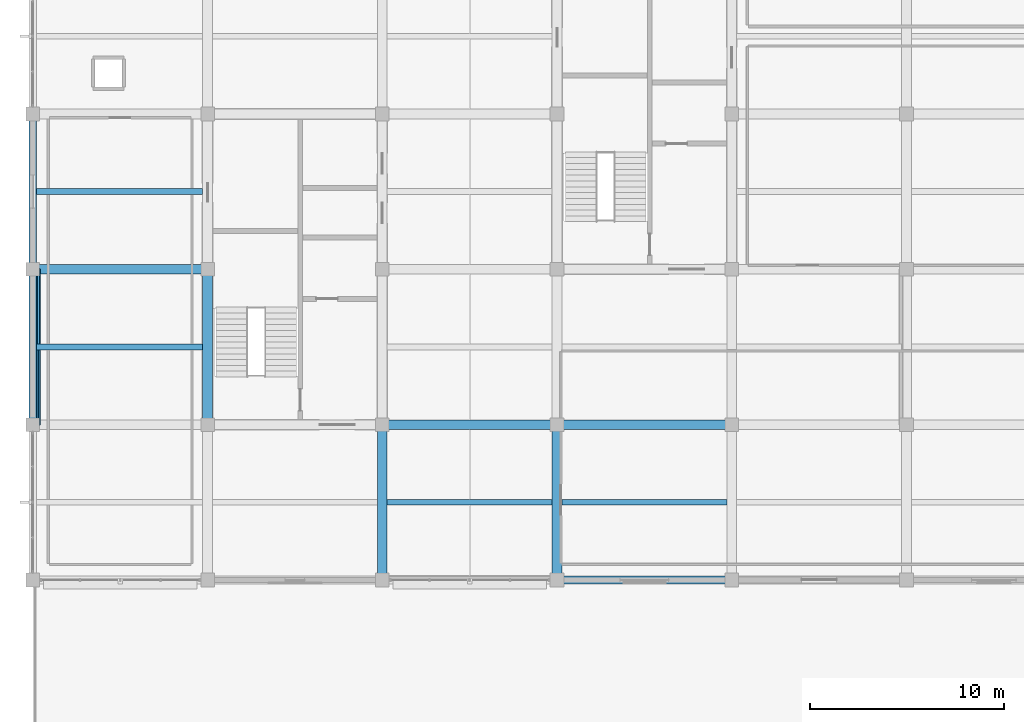
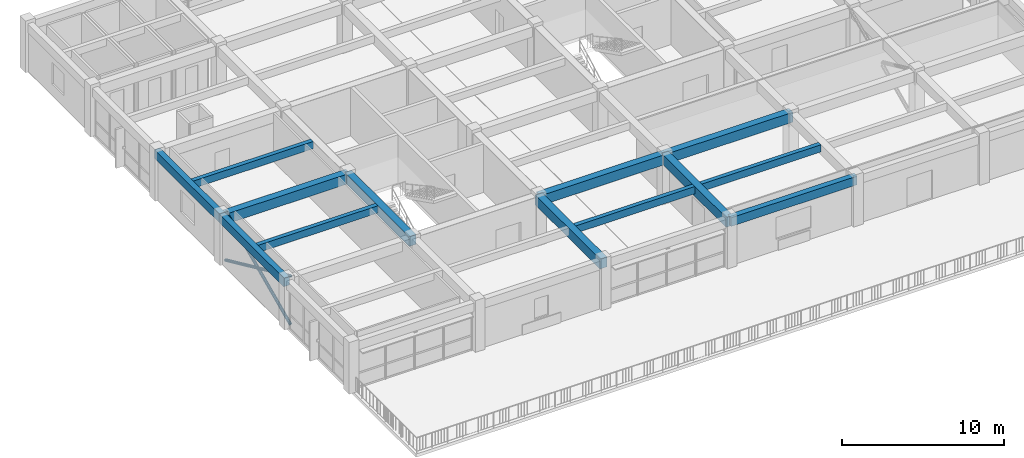
# One storey, part 3 of 14: 13 beams, 2 members.
"""IFC4 building model written with IfcOpenShell, lengths in metres."""

from ifc_helpers import new_model, si_unit, direction, frame, origin, origin_2d, place, context, subcontext, project, spatial, rectangle, hollow_circle, extrude, material, material_profile, profile_set, type_object, element, save


model = new_model("IFC4")

# Units and contexts
model_context = context("Model", 3, precision=1e-05, world=origin(), true_north=direction((0.0, 1.0)))
body_context = subcontext(model_context, "Body", "Model", "MODEL_VIEW")
ifc_project = project(units=[si_unit("LENGTHUNIT", "METRE"), si_unit("AREAUNIT", "SQUARE_METRE"), si_unit("VOLUMEUNIT", "CUBIC_METRE"), si_unit("PLANEANGLEUNIT", "RADIAN"), si_unit("MASSUNIT", "GRAM", prefix="KILO")], contexts=[model_context])

# Site, building, storey
site_placement = place(None, origin())
site = spatial("IfcSite", under=ifc_project, at=site_placement, CompositionType="ELEMENT")
building_placement = place(site_placement, origin())
building = spatial("IfcBuilding", under=site, at=building_placement, Name="Zaverband Oceanarium and Marine Research Institute", CompositionType="ELEMENT")
storey_placement = place(building_placement, frame((0.0, 0.0, 57.0)))
storey = spatial("IfcBuildingStorey", under=building, at=storey_placement, Name="L14", CompositionType="ELEMENT", Elevation=57.0)

# Beams
ifc_material_1 = material(Name="Concrete C40/50", Category="concrete")
ifc_material_profile_1 = material_profile(ifc_material_1, rectangle(XDim=0.5, YDim=0.75, at=origin_2d()), Name="RC500x750")
ifc_profile_set_1 = profile_set([ifc_material_profile_1], Name="Concrete C40/50")
beam_type_1 = type_object("IfcBeamType", Name="BM-500x750", PredefinedType="BEAM", material=ifc_profile_set_1)
for number, where, z_axis, x_axis, name in (
    (1, (27.0, 80.0, 3.27490234375), (1.0, 0.0, 0.0), (0.0, 1.0, 0.0), "Primary floor girder BM-500x750"),
    (2, (36.0, 80.0, 3.27490234375), (1.0, 0.0, 0.0), (0.0, 1.0, 0.0), "Primary floor girder BM-500x750"),
    (3, (9.0, 88.0, 3.27490234375), (1.0, 0.0, 0.0), (0.0, 1.0, 0.0), "Primary floor girder BM-500x750"),
):
    element("IfcBeam", number, at=place(storey_placement, frame(where, z_axis=z_axis, x_axis=x_axis)), inside=storey, type_object=beam_type_1, Name=name, PredefinedType="BEAM", context=body_context, shape_type="SweptSolid", body=[
        extrude(rectangle(XDim=0.5, YDim=0.75, at=origin_2d()), origin(), (0.0, 0.0, 1.0), 9.0),
    ])
for number, where, z_axis, x_axis, name in (
    (4, (18.0, 80.0, 3.27490234375), (0.0, 1.0, 0.0), (-1.0, 0.0, 0.0), "Primary floor girder BM-500x750"),
    (5, (27.0, 72.0, 3.27490234375), (0.0, 1.0, 0.0), (-1.0, 0.0, 0.0), "Primary floor girder BM-500x750"),
    (6, (36.0, 72.0, 3.27490234375), (0.0, 1.0, 0.0), (-1.0, 0.0, 0.0), "Primary floor girder BM-500x750"),
):
    element("IfcBeam", number, at=place(storey_placement, frame(where, z_axis=z_axis, x_axis=x_axis)), inside=storey, type_object=beam_type_1, Name=name, PredefinedType="BEAM", context=body_context, shape_type="SweptSolid", body=[
        extrude(rectangle(XDim=0.5, YDim=0.75, at=origin_2d()), origin(), (0.0, 0.0, 1.0), 8.0),
    ])

# Members
ifc_material_2 = material(Name="Steel S355", Category="steel")
ifc_material_profile_2 = material_profile(ifc_material_2, hollow_circle(Radius=0.109619140625, WallThickness=0.008056640625, at=origin_2d()), Name="CHS219x8")
ifc_profile_set_2 = profile_set([ifc_material_profile_2], Name="Steel S355")
member_type = type_object("IfcMemberType", Name="BR-02", PredefinedType="BRACE", material=ifc_profile_set_2)
for number, where, z_axis, x_axis, name in (
    (7, (9.280029296875, 80.0, 0.0), (0.0, 0.909785572369, 0.415078561612), (-1.0, 0.0, 0.0), "Diagonal lateral brace BR-02"),
    (8, (9.280029296875, 88.0, 0.0), (0.0, -0.909785572369, 0.415078561612), (1.0, 0.0, 0.0), "Diagonal lateral brace BR-02"),
):
    element("IfcMember", number, at=place(storey_placement, frame(where, z_axis=z_axis, x_axis=x_axis)), inside=storey, type_object=member_type, Name=name, PredefinedType="BRACE", context=body_context, shape_type="SweptSolid", body=[
        extrude(hollow_circle(Radius=0.109619140625, WallThickness=0.008056640625, at=origin_2d()), origin(), (0.0, 0.0, 1.0), 8.793212890625),
    ])

# Beams
ifc_material_profile_3 = material_profile(ifc_material_1, rectangle(XDim=0.300048828125, YDim=0.550048828125, at=origin_2d()), Name="RC300x550")
ifc_profile_set_3 = profile_set([ifc_material_profile_3], Name="Concrete C40/50")
beam_type_2 = type_object("IfcBeamType", Name="JST-300x550", PredefinedType="JOIST", material=ifc_profile_set_3)
for number, where, z_axis, x_axis, name in (
    (9, (9.199951171875, 84.0, 3.375), (1.0, 0.0, 0.0), (0.0, 1.0, 0.0), "Secondary floor joist JST-300x550"),
    (10, (9.199951171875, 92.0, 3.375), (1.0, 0.0, 0.0), (0.0, 1.0, 0.0), "Secondary floor joist JST-300x550"),
):
    element("IfcBeam", number, at=place(storey_placement, frame(where, z_axis=z_axis, x_axis=x_axis)), inside=storey, type_object=beam_type_2, Name=name, PredefinedType="JOIST", context=body_context, shape_type="SweptSolid", body=[
        extrude(rectangle(XDim=0.300048828125, YDim=0.550048828125, at=origin_2d()), origin(), (0.0, 0.0, 1.0), 8.550048828125),
    ])
for number, where, z_axis, x_axis, name in (
    (11, (27.25, 76.0, 3.375), (1.0, 0.0, 0.0), (0.0, 1.0, 0.0), "Secondary floor joist JST-300x550"),
    (12, (36.25, 76.0, 3.375), (1.0, 0.0, 0.0), (0.0, 1.0, 0.0), "Secondary floor joist JST-300x550"),
):
    element("IfcBeam", number, at=place(storey_placement, frame(where, z_axis=z_axis, x_axis=x_axis)), inside=storey, type_object=beam_type_2, Name=name, PredefinedType="JOIST", context=body_context, shape_type="SweptSolid", body=[
        extrude(rectangle(XDim=0.300048828125, YDim=0.550048828125, at=origin_2d()), origin(), (0.0, 0.0, 1.0), 8.5),
    ])
ifc_material_profile_4 = material_profile(ifc_material_1, rectangle(XDim=0.39990234375, YDim=0.64990234375, at=origin_2d()), Name="RC400x650")
ifc_profile_set_4 = profile_set([ifc_material_profile_4], Name="Concrete C40/50")
beam_type_3 = type_object("IfcBeamType", Name="SPN-400x650", PredefinedType="SPANDREL", material=ifc_profile_set_4)
beam_placement = place(storey_placement, frame((36.0, 72.0, 3.324951171875), z_axis=(1.0, 0.0, 0.0), x_axis=(0.0, 1.0, 0.0)))
element("IfcBeam", 13, at=beam_placement, inside=storey, type_object=beam_type_3, Name="Perimeter spandrel beam SPN-400x650", PredefinedType="SPANDREL", context=body_context, shape_type="SweptSolid", body=[
    extrude(rectangle(XDim=0.39990234375, YDim=0.64990234375, at=origin_2d()), origin(), (0.0, 0.0, 1.0), 9.0),
])
for number, where, z_axis, x_axis, name in (
    (14, (9.0, 80.0, 3.324951171875), (0.0, 1.0, 0.0), (-1.0, 0.0, 0.0), "Perimeter spandrel beam SPN-400x650"),
    (15, (9.0, 88.0, 3.324951171875), (0.0, 1.0, 0.0), (-1.0, 0.0, 0.0), "Perimeter spandrel beam SPN-400x650"),
):
    element("IfcBeam", number, at=place(storey_placement, frame(where, z_axis=z_axis, x_axis=x_axis)), inside=storey, type_object=beam_type_3, Name=name, PredefinedType="SPANDREL", context=body_context, shape_type="SweptSolid", body=[
        extrude(rectangle(XDim=0.39990234375, YDim=0.64990234375, at=origin_2d()), origin(), (0.0, 0.0, 1.0), 8.0),
    ])

save(model, "model.ifc")
